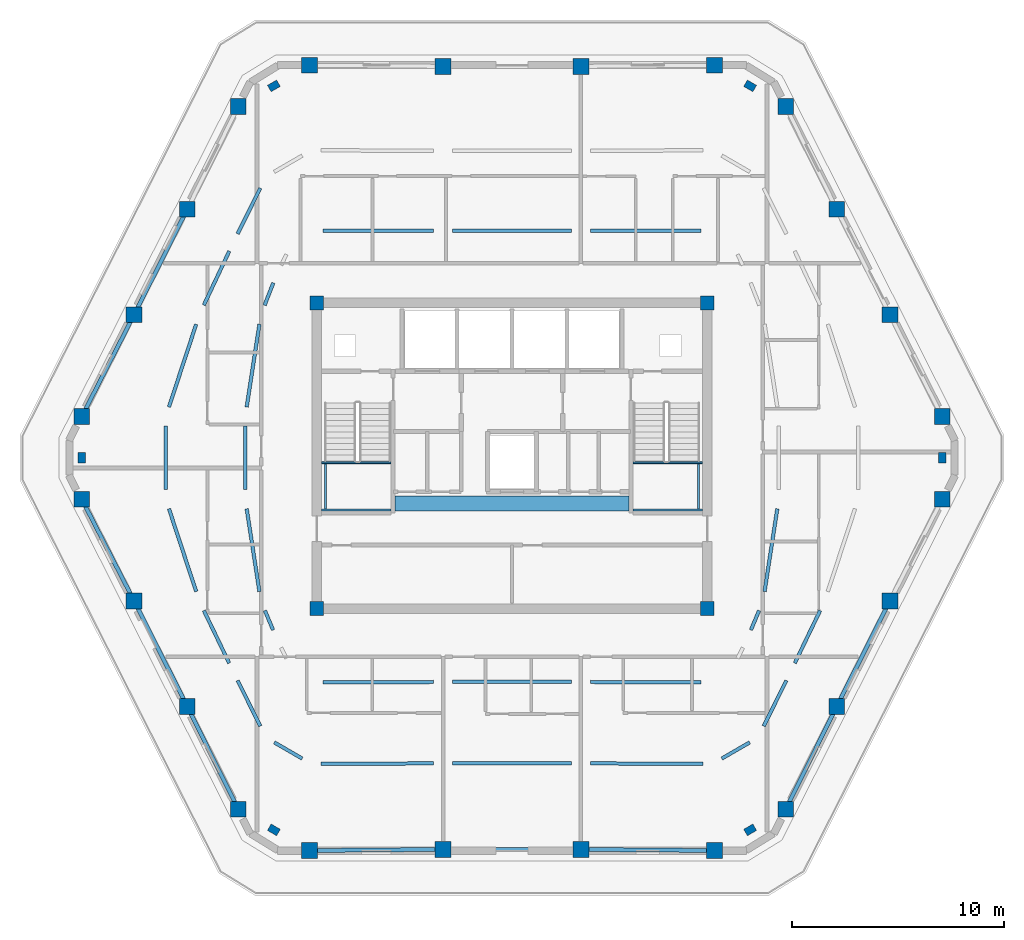
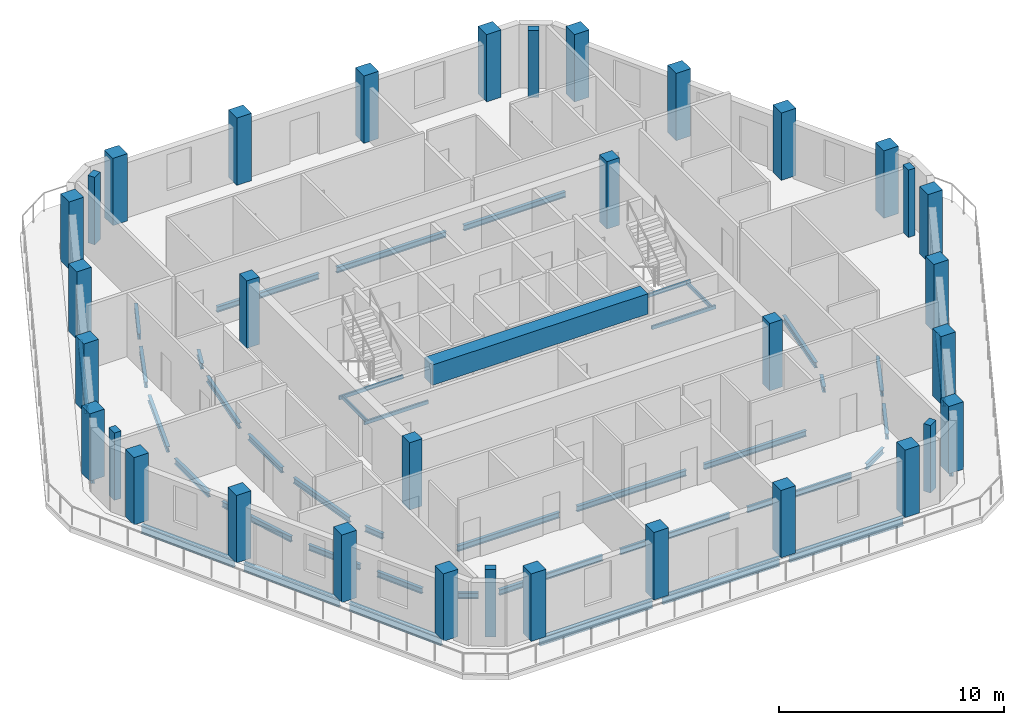
# One storey, part 1 of 10: 44 beams, 34 columns.
"""IFC4 building model written with IfcOpenShell, lengths in metres."""

from ifc_helpers import new_model, si_unit, direction, frame, origin, origin_2d, place, context, subcontext, project, spatial, rectangle, hollow_rectangle, i_section, extrude, material, material_profile, profile_set, type_object, element, save


model = new_model("IFC4")

# Units and contexts
model_context = context("Model", 3, precision=1e-05, world=origin(), true_north=direction((0.0, 1.0)))
body_context = subcontext(model_context, "Body", "Model", "MODEL_VIEW")
ifc_project = project(units=[si_unit("LENGTHUNIT", "METRE"), si_unit("AREAUNIT", "SQUARE_METRE"), si_unit("VOLUMEUNIT", "CUBIC_METRE"), si_unit("PLANEANGLEUNIT", "RADIAN"), si_unit("MASSUNIT", "GRAM", prefix="KILO")], contexts=[model_context])

# Site, building, storey
site_placement = place(None, origin())
site = spatial("IfcSite", under=ifc_project, at=site_placement, CompositionType="ELEMENT")
building_placement = place(site_placement, origin())
building = spatial("IfcBuilding", under=site, at=building_placement, Name="Cinnabar Lancet Tower", CompositionType="ELEMENT")
storey_placement = place(building_placement, frame((0.0, 0.0, 227.0)))
storey = spatial("IfcBuildingStorey", under=building, at=storey_placement, Name="L60", CompositionType="ELEMENT", Elevation=227.0)

# Columns
ifc_material_1 = material(Name="Concrete C50/60", Category="concrete")
ifc_material_profile_1 = material_profile(ifc_material_1, rectangle(XDim=0.64990234375, YDim=0.64990234375, at=origin_2d()), Name="RC-COL 650x650")
ifc_profile_set_1 = profile_set([ifc_material_profile_1], Name="Concrete C50/60")
column_type_1 = type_object("IfcColumnType", Name="STR-COL-CORE-650B", PredefinedType="COLUMN", material=ifc_profile_set_1)
for number, where, z_axis, x_axis, name in (
    (1, (23.175048828125, 18.675048828125, 0.0), (0.0, 0.0, 1.0), (1.0, 0.0, 0.0), "L60 Core Corner Column SW"),
    (2, (41.625, 18.675048828125, 0.0), (0.0, 0.0, 1.0), (1.0, 0.0, 0.0), "L60 Core Corner Column SE"),
    (3, (41.625, 33.125, 0.0), (0.0, 0.0, 1.0), (1.0, 0.0, 0.0), "L60 Core Corner Column NE"),
    (4, (23.175048828125, 33.125, 0.0), (0.0, 0.0, 1.0), (1.0, 0.0, 0.0), "L60 Core Corner Column NW"),
):
    element("IfcColumn", number, at=place(storey_placement, frame(where, z_axis=z_axis, x_axis=x_axis)), inside=storey, type_object=column_type_1, Name=name, PredefinedType="COLUMN", context=body_context, shape_type="SweptSolid", body=[
        extrude(rectangle(XDim=0.64990234375, YDim=0.64990234375, at=origin_2d()), origin(), (0.0, 0.0, 1.0), 3.64990234375),
    ])
ifc_material_2 = material(Name="Concrete C60/75", Category="concrete")
ifc_material_profile_2 = material_profile(ifc_material_2, rectangle(XDim=0.5, YDim=0.35009765625, at=origin_2d()), Name="RC-PIL 500x350")
ifc_profile_set_2 = profile_set([ifc_material_profile_2], Name="Concrete C60/75")
column_type_2 = type_object("IfcColumnType", Name="STR-COL-PIL-500", PredefinedType="PILASTER", material=ifc_profile_set_2)
for number, where, z_axis, x_axis, name in (
    (5, (21.14306640625, 8.215087890625, 0.0), (0.0, 0.0, 1.0), (0.865256437757, -0.501329529272, 0.0), "L60 Chamfered Corner Pilaster 1"),
    (6, (43.656982421875, 8.215087890625, 0.0), (0.0, 0.0, 1.0), (0.865256437757, 0.501329529272, 0.0), "L60 Chamfered Corner Pilaster 2"),
    (7, (52.737060546875, 25.800048828125, 0.0), (0.0, 0.0, 1.0), (0.0, 1.0, 0.0), "L60 Chamfered Corner Pilaster 3"),
    (8, (43.656982421875, 43.385009765625, 0.0), (0.0, 0.0, 1.0), (-0.865256437757, 0.501329529272, 0.0), "L60 Chamfered Corner Pilaster 4"),
    (9, (21.14306640625, 43.385009765625, 0.0), (0.0, 0.0, 1.0), (-0.865256437757, -0.501329529272, 0.0), "L60 Chamfered Corner Pilaster 5"),
    (10, (12.06298828125, 25.800048828125, 0.0), (0.0, 0.0, 1.0), (0.0, -1.0, 0.0), "L60 Chamfered Corner Pilaster 6"),
):
    element("IfcColumn", number, at=place(storey_placement, frame(where, z_axis=z_axis, x_axis=x_axis)), inside=storey, type_object=column_type_2, Name=name, PredefinedType="PILASTER", context=body_context, shape_type="SweptSolid", body=[
        extrude(rectangle(XDim=0.5, YDim=0.35009765625, at=origin_2d()), origin(), (0.0, 0.0, 1.0), 3.64990234375),
    ])
ifc_material_3 = material(Name="Concrete C50/60", Category="concrete")
ifc_material_profile_3 = material_profile(ifc_material_3, rectangle(XDim=0.75, YDim=0.75, at=origin_2d()), Name="RC-COL 750x750")
ifc_profile_set_3 = profile_set([ifc_material_profile_3], Name="Concrete C50/60")
column_type_3 = type_object("IfcColumnType", Name="STR-COL-TUBE-750", PredefinedType="COLUMN", material=ifc_profile_set_3)
for number, where, z_axis, x_axis, name in (
    (11, (22.827880859375, 7.239013671875, 0.0), (0.0, 0.0, 1.0), (1.0, 0.0, 0.0), "L60 Perimeter Tube Column 1"),
    (12, (29.14599609375, 7.2919921875, 0.0), (0.0, 0.0, 1.0), (1.0, 0.0, 0.0), "L60 Perimeter Tube Column 2"),
    (13, (35.654052734375, 7.2919921875, 0.0), (0.0, 0.0, 1.0), (1.0, 0.0, 0.0), "L60 Perimeter Tube Column 3"),
    (14, (41.971923828125, 7.239013671875, 0.0), (0.0, 0.0, 1.0), (1.0, 0.0, 0.0), "L60 Perimeter Tube Column 4"),
    (15, (45.341064453125, 9.19091796875, 0.0), (0.0, 0.0, 1.0), (1.0, 0.0, 0.0), "L60 Perimeter Tube Column 5"),
    (16, (47.7490234375, 14.0458984375, 0.0), (0.0, 0.0, 1.0), (1.0, 0.0, 0.0), "L60 Perimeter Tube Column 6"),
    (17, (50.263916015625, 19.032958984375, 0.0), (0.0, 0.0, 1.0), (1.0, 0.0, 0.0), "L60 Perimeter Tube Column 7"),
    (18, (52.737060546875, 23.844970703125, 0.0), (0.0, 0.0, 1.0), (1.0, 0.0, 0.0), "L60 Perimeter Tube Column 8"),
    (19, (52.737060546875, 27.7548828125, 0.0), (0.0, 0.0, 1.0), (1.0, 0.0, 0.0), "L60 Perimeter Tube Column 9"),
    (20, (50.263916015625, 32.56689453125, 0.0), (0.0, 0.0, 1.0), (1.0, 0.0, 0.0), "L60 Perimeter Tube Column 10"),
    (21, (47.7490234375, 37.553955078125, 0.0), (0.0, 0.0, 1.0), (1.0, 0.0, 0.0), "L60 Perimeter Tube Column 11"),
    (22, (45.341064453125, 42.408935546875, 0.0), (0.0, 0.0, 1.0), (1.0, 0.0, 0.0), "L60 Perimeter Tube Column 12"),
    (23, (41.971923828125, 44.361083984375, 0.0), (0.0, 0.0, 1.0), (1.0, 0.0, 0.0), "L60 Perimeter Tube Column 13"),
    (24, (35.654052734375, 44.30810546875, 0.0), (0.0, 0.0, 1.0), (1.0, 0.0, 0.0), "L60 Perimeter Tube Column 14"),
    (25, (29.14599609375, 44.30810546875, 0.0), (0.0, 0.0, 1.0), (1.0, 0.0, 0.0), "L60 Perimeter Tube Column 15"),
    (26, (22.827880859375, 44.361083984375, 0.0), (0.0, 0.0, 1.0), (1.0, 0.0, 0.0), "L60 Perimeter Tube Column 16"),
    (27, (19.458984375, 42.408935546875, 0.0), (0.0, 0.0, 1.0), (1.0, 0.0, 0.0), "L60 Perimeter Tube Column 17"),
    (28, (17.051025390625, 37.553955078125, 0.0), (0.0, 0.0, 1.0), (1.0, 0.0, 0.0), "L60 Perimeter Tube Column 18"),
    (29, (14.535888671875, 32.56689453125, 0.0), (0.0, 0.0, 1.0), (1.0, 0.0, 0.0), "L60 Perimeter Tube Column 19"),
    (30, (12.06298828125, 27.7548828125, 0.0), (0.0, 0.0, 1.0), (1.0, 0.0, 0.0), "L60 Perimeter Tube Column 20"),
    (31, (12.06298828125, 23.844970703125, 0.0), (0.0, 0.0, 1.0), (1.0, 0.0, 0.0), "L60 Perimeter Tube Column 21"),
    (32, (14.535888671875, 19.032958984375, 0.0), (0.0, 0.0, 1.0), (1.0, 0.0, 0.0), "L60 Perimeter Tube Column 22"),
    (33, (17.051025390625, 14.0458984375, 0.0), (0.0, 0.0, 1.0), (1.0, 0.0, 0.0), "L60 Perimeter Tube Column 23"),
    (34, (19.458984375, 9.19091796875, 0.0), (0.0, 0.0, 1.0), (1.0, 0.0, 0.0), "L60 Perimeter Tube Column 24"),
):
    element("IfcColumn", number, at=place(storey_placement, frame(where, z_axis=z_axis, x_axis=x_axis)), inside=storey, type_object=column_type_3, Name=name, PredefinedType="COLUMN", context=body_context, shape_type="SweptSolid", body=[
        extrude(rectangle(XDim=0.75, YDim=0.75, at=origin_2d()), origin(), (0.0, 0.0, 1.0), 3.64990234375),
    ])

# Beams
ifc_material_4 = material(Name="Concrete C70/85", Category="concrete")
ifc_material_profile_4 = material_profile(ifc_material_4, rectangle(XDim=0.699951171875, YDim=1.10009765625, at=origin_2d()), Name="RC-CB 700x1100")
ifc_profile_set_4 = profile_set([ifc_material_profile_4], Name="Concrete C70/85")
beam_type_1 = type_object("IfcBeamType", Name="STR-BM-CB-1100", PredefinedType="BEAM", material=ifc_profile_set_4)
beam_1_placement = place(storey_placement, frame((26.8798828125, 23.64990234375, 2.89990234375), z_axis=(1.0, 0.0, 0.0), x_axis=(0.0, 1.0, 0.0)))
element("IfcBeam", 35, at=beam_1_placement, inside=storey, type_object=beam_type_1, Name="L60 Core Coupling Beam", PredefinedType="BEAM", context=body_context, shape_type="SweptSolid", body=[
    extrude(rectangle(XDim=0.699951171875, YDim=1.10009765625, at=origin_2d()), origin(), (0.0, 0.0, 1.0), 11.0400390625),
])
ifc_material_5 = material(Name="Structural steel S355", Category="steel")
ifc_material_profile_5 = material_profile(ifc_material_5, i_section(OverallWidth=0.1650390625, OverallDepth=0.303466796875, WebThickness=0.006103515625, FlangeThickness=0.01025390625, FilletRadius=0.0087890625, at=origin_2d()), Name="UKB 305x165x40")
ifc_profile_set_5 = profile_set([ifc_material_profile_5], Name="Structural steel S355")
beam_type_2 = type_object("IfcBeamType", Name="STR-BM-JST-305", PredefinedType="JOIST", material=ifc_profile_set_5)
beam_2_placement = place(storey_placement, frame((16.18408203125, 23.39501953125, -0.35205078125), z_axis=(0.312472773366, -0.949926716071, 0.0), x_axis=(0.949926716071, 0.312472773366, 0.0)))
element("IfcBeam", 36, at=beam_2_placement, inside=storey, type_object=beam_type_2, Name="L60 Secondary Floor Joist 1", PredefinedType="JOIST", context=body_context, shape_type="SweptSolid", body=[
    extrude(i_section(OverallWidth=0.1650390625, OverallDepth=0.303466796875, WebThickness=0.006103515625, FlangeThickness=0.01025390625, FilletRadius=0.0087890625, at=origin_2d()), origin(), (0.0, 0.0, 1.0), 4.118408203125),
])
beam_3_placement = place(storey_placement, frame((19.85791015625, 23.39501953125, -0.35205078125), z_axis=(0.152344532894, -0.988327447407, 0.0), x_axis=(0.988327447407, 0.152344532894, 0.0)))
element("IfcBeam", 37, at=beam_3_placement, inside=storey, type_object=beam_type_2, Name="L60 Secondary Floor Joist 2", PredefinedType="JOIST", context=body_context, shape_type="SweptSolid", body=[
    extrude(i_section(OverallWidth=0.1650390625, OverallDepth=0.303466796875, WebThickness=0.006103515625, FlangeThickness=0.01025390625, FilletRadius=0.0087890625, at=origin_2d()), origin(), (0.0, 0.0, 1.0), 3.958251953125),
])
beam_4_placement = place(storey_placement, frame((17.8349609375, 18.5830078125, -0.35205078125), z_axis=(0.433557283965, -0.901126007571, 0.0), x_axis=(0.901126007571, 0.433557283965, 0.0)))
element("IfcBeam", 38, at=beam_4_placement, inside=storey, type_object=beam_type_2, Name="L60 Secondary Floor Joist 3", PredefinedType="JOIST", context=body_context, shape_type="SweptSolid", body=[
    extrude(i_section(OverallWidth=0.1650390625, OverallDepth=0.303466796875, WebThickness=0.006103515625, FlangeThickness=0.01025390625, FilletRadius=0.0087890625, at=origin_2d()), origin(), (0.0, 0.0, 1.0), 2.75634765625),
])
beam_5_placement = place(storey_placement, frame((20.719970703125, 18.5830078125, -0.35205078125), z_axis=(0.386558979861, -0.922264688194, 0.0), x_axis=(0.922264688194, 0.386558979861, 0.0)))
element("IfcBeam", 39, at=beam_5_placement, inside=storey, type_object=beam_type_2, Name="L60 Secondary Floor Joist 4", PredefinedType="JOIST", context=body_context, shape_type="SweptSolid", body=[
    extrude(i_section(OverallWidth=0.1650390625, OverallDepth=0.303466796875, WebThickness=0.006103515625, FlangeThickness=0.01025390625, FilletRadius=0.0087890625, at=origin_2d()), origin(), (0.0, 0.0, 1.0), 0.99853515625),
])
beam_6_placement = place(storey_placement, frame((19.431884765625, 15.27490234375, -0.35205078125), z_axis=(0.4446077291, -0.895725386056, 0.0), x_axis=(0.895725386056, 0.4446077291, 0.0)))
element("IfcBeam", 40, at=beam_6_placement, inside=storey, type_object=beam_type_2, Name="L60 Secondary Floor Joist 5", PredefinedType="JOIST", context=body_context, shape_type="SweptSolid", body=[
    extrude(i_section(OverallWidth=0.1650390625, OverallDepth=0.303466796875, WebThickness=0.006103515625, FlangeThickness=0.01025390625, FilletRadius=0.0087890625, at=origin_2d()), origin(), (0.0, 0.0, 1.0), 2.400146484375),
])
beam_7_placement = place(storey_placement, frame((21.1640625, 12.35009765625, -0.35205078125), z_axis=(0.865089608438, -0.50161735354, 0.0), x_axis=(0.50161735354, 0.865089608438, 0.0)))
element("IfcBeam", 41, at=beam_7_placement, inside=storey, type_object=beam_type_2, Name="L60 Secondary Floor Joist 7", PredefinedType="JOIST", context=body_context, shape_type="SweptSolid", body=[
    extrude(i_section(OverallWidth=0.1650390625, OverallDepth=0.303466796875, WebThickness=0.006103515625, FlangeThickness=0.01025390625, FilletRadius=0.0087890625, at=origin_2d()), origin(), (0.0, 0.0, 1.0), 1.5234375),
])
beam_8_placement = place(storey_placement, frame((23.3759765625, 11.3310546875, -0.35205078125), z_axis=(0.999985089236, 0.005460888698, 0.0), x_axis=(-0.005460888698, 0.999985089236, 0.0)))
element("IfcBeam", 42, at=beam_8_placement, inside=storey, type_object=beam_type_2, Name="L60 Secondary Floor Joist 8", PredefinedType="JOIST", context=body_context, shape_type="SweptSolid", body=[
    extrude(i_section(OverallWidth=0.1650390625, OverallDepth=0.303466796875, WebThickness=0.006103515625, FlangeThickness=0.01025390625, FilletRadius=0.0087890625, at=origin_2d()), origin(), (0.0, 0.0, 1.0), 5.320068359375),
])
beam_9_placement = place(storey_placement, frame((23.468994140625, 15.193115234375, -0.35205078125), z_axis=(0.999996936017, 0.002475471163, 0.0), x_axis=(-0.002475471163, 0.999996936017, 0.0)))
element("IfcBeam", 43, at=beam_9_placement, inside=storey, type_object=beam_type_2, Name="L60 Secondary Floor Joist 9", PredefinedType="JOIST", context=body_context, shape_type="SweptSolid", body=[
    extrude(i_section(OverallWidth=0.1650390625, OverallDepth=0.303466796875, WebThickness=0.006103515625, FlangeThickness=0.01025390625, FilletRadius=0.0087890625, at=origin_2d()), origin(), (0.0, 0.0, 1.0), 5.22705078125),
])
for number, where, z_axis, x_axis, name in (
    (44, (29.595947265625, 11.363037109375, -0.35205078125), (1.0, 0.0, 0.0), (0.0, 1.0, 0.0), "L60 Secondary Floor Joist 10"),
    (45, (29.595947265625, 15.2080078125, -0.35205078125), (1.0, 0.0, 0.0), (0.0, 1.0, 0.0), "L60 Secondary Floor Joist 11"),
):
    element("IfcBeam", number, at=place(storey_placement, frame(where, z_axis=z_axis, x_axis=x_axis)), inside=storey, type_object=beam_type_2, Name=name, PredefinedType="JOIST", context=body_context, shape_type="SweptSolid", body=[
        extrude(i_section(OverallWidth=0.1650390625, OverallDepth=0.303466796875, WebThickness=0.006103515625, FlangeThickness=0.01025390625, FilletRadius=0.0087890625, at=origin_2d()), origin(), (0.0, 0.0, 1.0), 5.608154296875),
    ])
beam_10_placement = place(storey_placement, frame((36.10400390625, 11.360107421875, -0.35205078125), z_axis=(0.999985089236, -0.005460888698, 0.0), x_axis=(0.005460888698, 0.999985089236, 0.0)))
element("IfcBeam", 46, at=beam_10_placement, inside=storey, type_object=beam_type_2, Name="L60 Secondary Floor Joist 12", PredefinedType="JOIST", context=body_context, shape_type="SweptSolid", body=[
    extrude(i_section(OverallWidth=0.1650390625, OverallDepth=0.303466796875, WebThickness=0.006103515625, FlangeThickness=0.01025390625, FilletRadius=0.0087890625, at=origin_2d()), origin(), (0.0, 0.0, 1.0), 5.320068359375),
])
beam_11_placement = place(storey_placement, frame((36.10400390625, 15.2060546875, -0.35205078125), z_axis=(0.999996936017, -0.002475471163, 0.0), x_axis=(0.002475471163, 0.999996936017, 0.0)))
element("IfcBeam", 47, at=beam_11_placement, inside=storey, type_object=beam_type_2, Name="L60 Secondary Floor Joist 13", PredefinedType="JOIST", context=body_context, shape_type="SweptSolid", body=[
    extrude(i_section(OverallWidth=0.1650390625, OverallDepth=0.303466796875, WebThickness=0.006103515625, FlangeThickness=0.01025390625, FilletRadius=0.0087890625, at=origin_2d()), origin(), (0.0, 0.0, 1.0), 5.22705078125),
])
beam_12_placement = place(storey_placement, frame((42.318115234375, 11.5859375, -0.35205078125), z_axis=(0.865089608438, 0.50161735354, 0.0), x_axis=(-0.50161735354, 0.865089608438, 0.0)))
element("IfcBeam", 48, at=beam_12_placement, inside=storey, type_object=beam_type_2, Name="L60 Secondary Floor Joist 14", PredefinedType="JOIST", context=body_context, shape_type="SweptSolid", body=[
    extrude(i_section(OverallWidth=0.1650390625, OverallDepth=0.303466796875, WebThickness=0.006103515625, FlangeThickness=0.01025390625, FilletRadius=0.0087890625, at=origin_2d()), origin(), (0.0, 0.0, 1.0), 1.5234375),
])
beam_13_placement = place(storey_placement, frame((44.301025390625, 13.125, -0.35205078125), z_axis=(0.444526113077, 0.89576589285, 0.0), x_axis=(-0.89576589285, 0.444526113077, 0.0)))
element("IfcBeam", 49, at=beam_13_placement, inside=storey, type_object=beam_type_2, Name="L60 Secondary Floor Joist 15", PredefinedType="JOIST", context=body_context, shape_type="SweptSolid", body=[
    extrude(i_section(OverallWidth=0.1650390625, OverallDepth=0.303466796875, WebThickness=0.006103515625, FlangeThickness=0.01025390625, FilletRadius=0.0087890625, at=origin_2d()), origin(), (0.0, 0.0, 1.0), 2.400146484375),
])
beam_14_placement = place(storey_placement, frame((45.77001953125, 16.09912109375, -0.35205078125), z_axis=(0.433557283965, 0.901126007571, 0.0), x_axis=(-0.901126007571, 0.433557283965, 0.0)))
element("IfcBeam", 50, at=beam_14_placement, inside=storey, type_object=beam_type_2, Name="L60 Secondary Floor Joist 17", PredefinedType="JOIST", context=body_context, shape_type="SweptSolid", body=[
    extrude(i_section(OverallWidth=0.1650390625, OverallDepth=0.303466796875, WebThickness=0.006103515625, FlangeThickness=0.01025390625, FilletRadius=0.0087890625, at=origin_2d()), origin(), (0.0, 0.0, 1.0), 2.75634765625),
])
beam_15_placement = place(storey_placement, frame((43.694091796875, 17.662109375, -0.35205078125), z_axis=(0.386558979861, 0.922264688194, 0.0), x_axis=(-0.922264688194, 0.386558979861, 0.0)))
element("IfcBeam", 51, at=beam_15_placement, inside=storey, type_object=beam_type_2, Name="L60 Secondary Floor Joist 18", PredefinedType="JOIST", context=body_context, shape_type="SweptSolid", body=[
    extrude(i_section(OverallWidth=0.1650390625, OverallDepth=0.303466796875, WebThickness=0.006103515625, FlangeThickness=0.01025390625, FilletRadius=0.0087890625, at=origin_2d()), origin(), (0.0, 0.0, 1.0), 0.99853515625),
])
beam_16_placement = place(storey_placement, frame((44.339111328125, 19.48291015625, -0.35205078125), z_axis=(0.152284285571, 0.988336732277, 0.0), x_axis=(-0.988336732277, 0.152284285571, 0.0)))
element("IfcBeam", 52, at=beam_16_placement, inside=storey, type_object=beam_type_2, Name="L60 Secondary Floor Joist 20", PredefinedType="JOIST", context=body_context, shape_type="SweptSolid", body=[
    extrude(i_section(OverallWidth=0.1650390625, OverallDepth=0.303466796875, WebThickness=0.006103515625, FlangeThickness=0.01025390625, FilletRadius=0.0087890625, at=origin_2d()), origin(), (0.0, 0.0, 1.0), 3.958251953125),
])
beam_17_placement = place(storey_placement, frame((41.3310546875, 36.547119140625, -0.35205078125), z_axis=(-0.999996819304, -0.002522177872, 0.0), x_axis=(0.002522177872, -0.999996819304, 0.0)))
element("IfcBeam", 53, at=beam_17_placement, inside=storey, type_object=beam_type_2, Name="L60 Secondary Floor Joist 31", PredefinedType="JOIST", context=body_context, shape_type="SweptSolid", body=[
    extrude(i_section(OverallWidth=0.1650390625, OverallDepth=0.303466796875, WebThickness=0.006103515625, FlangeThickness=0.01025390625, FilletRadius=0.0087890625, at=origin_2d()), origin(), (0.0, 0.0, 1.0), 5.22705078125),
])
beam_18_placement = place(storey_placement, frame((35.2041015625, 36.531982421875, -0.35205078125), z_axis=(-1.0, 0.0, 0.0), x_axis=(0.0, -1.0, 0.0)))
element("IfcBeam", 54, at=beam_18_placement, inside=storey, type_object=beam_type_2, Name="L60 Secondary Floor Joist 33", PredefinedType="JOIST", context=body_context, shape_type="SweptSolid", body=[
    extrude(i_section(OverallWidth=0.1650390625, OverallDepth=0.303466796875, WebThickness=0.006103515625, FlangeThickness=0.01025390625, FilletRadius=0.0087890625, at=origin_2d()), origin(), (0.0, 0.0, 1.0), 5.608154296875),
])
beam_19_placement = place(storey_placement, frame((28.696044921875, 36.533935546875, -0.35205078125), z_axis=(-0.999996819304, 0.002522177872, 0.0), x_axis=(-0.002522177872, -0.999996819304, 0.0)))
element("IfcBeam", 55, at=beam_19_placement, inside=storey, type_object=beam_type_2, Name="L60 Secondary Floor Joist 35", PredefinedType="JOIST", context=body_context, shape_type="SweptSolid", body=[
    extrude(i_section(OverallWidth=0.1650390625, OverallDepth=0.303466796875, WebThickness=0.006103515625, FlangeThickness=0.01025390625, FilletRadius=0.0087890625, at=origin_2d()), origin(), (0.0, 0.0, 1.0), 5.22705078125),
])
beam_20_placement = place(storey_placement, frame((20.5009765625, 38.551025390625, -0.35205078125), z_axis=(-0.444574431543, -0.895741913063, 0.0), x_axis=(0.895741913063, -0.444574431543, 0.0)))
element("IfcBeam", 56, at=beam_20_placement, inside=storey, type_object=beam_type_2, Name="L60 Secondary Floor Joist 37", PredefinedType="JOIST", context=body_context, shape_type="SweptSolid", body=[
    extrude(i_section(OverallWidth=0.1650390625, OverallDepth=0.303466796875, WebThickness=0.006103515625, FlangeThickness=0.01025390625, FilletRadius=0.0087890625, at=origin_2d()), origin(), (0.0, 0.0, 1.0), 2.406982421875),
])
beam_21_placement = place(storey_placement, frame((19.033935546875, 35.572021484375, -0.35205078125), z_axis=(-0.425959406459, -0.904742274932, 0.0), x_axis=(0.904742274932, -0.425959406459, 0.0)))
element("IfcBeam", 57, at=beam_21_placement, inside=storey, type_object=beam_type_2, Name="L60 Secondary Floor Joist 39", PredefinedType="JOIST", context=body_context, shape_type="SweptSolid", body=[
    extrude(i_section(OverallWidth=0.1650390625, OverallDepth=0.303466796875, WebThickness=0.006103515625, FlangeThickness=0.01025390625, FilletRadius=0.0087890625, at=origin_2d()), origin(), (0.0, 0.0, 1.0), 2.823974609375),
])
beam_22_placement = place(storey_placement, frame((21.116943359375, 34.072998046875, -0.35205078125), z_axis=(-0.362643819572, -0.931927819161, 0.0), x_axis=(0.931927819161, -0.362643819572, 0.0)))
element("IfcBeam", 58, at=beam_22_placement, inside=storey, type_object=beam_type_2, Name="L60 Secondary Floor Joist 40", PredefinedType="JOIST", context=body_context, shape_type="SweptSolid", body=[
    extrude(i_section(OverallWidth=0.1650390625, OverallDepth=0.303466796875, WebThickness=0.006103515625, FlangeThickness=0.01025390625, FilletRadius=0.0087890625, at=origin_2d()), origin(), (0.0, 0.0, 1.0), 1.133056640625),
])
beam_23_placement = place(storey_placement, frame((17.470947265625, 32.116943359375, -0.35205078125), z_axis=(-0.312490370607, -0.949920927382, 0.0), x_axis=(0.949920927382, -0.312490370607, 0.0)))
element("IfcBeam", 59, at=beam_23_placement, inside=storey, type_object=beam_type_2, Name="L60 Secondary Floor Joist 41", PredefinedType="JOIST", context=body_context, shape_type="SweptSolid", body=[
    extrude(i_section(OverallWidth=0.1650390625, OverallDepth=0.303466796875, WebThickness=0.006103515625, FlangeThickness=0.01025390625, FilletRadius=0.0087890625, at=origin_2d()), origin(), (0.0, 0.0, 1.0), 4.1181640625),
])
beam_24_placement = place(storey_placement, frame((20.4609375, 32.116943359375, -0.35205078125), z_axis=(-0.152353820073, -0.988326015801, 0.0), x_axis=(0.988326015801, -0.152353820073, 0.0)))
element("IfcBeam", 60, at=beam_24_placement, inside=storey, type_object=beam_type_2, Name="L60 Secondary Floor Joist 42", PredefinedType="JOIST", context=body_context, shape_type="SweptSolid", body=[
    extrude(i_section(OverallWidth=0.1650390625, OverallDepth=0.303466796875, WebThickness=0.006103515625, FlangeThickness=0.01025390625, FilletRadius=0.0087890625, at=origin_2d()), origin(), (0.0, 0.0, 1.0), 3.9580078125),
])
for number, where, z_axis, x_axis, name in (
    (61, (16.035888671875, 27.304931640625, -0.35205078125), (0.0, -1.0, 0.0), (1.0, 0.0, 0.0), "L60 Secondary Floor Joist 43"),
    (62, (19.7890625, 27.304931640625, -0.35205078125), (0.0, -1.0, 0.0), (1.0, 0.0, 0.0), "L60 Secondary Floor Joist 44"),
):
    element("IfcBeam", number, at=place(storey_placement, frame(where, z_axis=z_axis, x_axis=x_axis)), inside=storey, type_object=beam_type_2, Name=name, PredefinedType="JOIST", context=body_context, shape_type="SweptSolid", body=[
        extrude(i_section(OverallWidth=0.1650390625, OverallDepth=0.303466796875, WebThickness=0.006103515625, FlangeThickness=0.01025390625, FilletRadius=0.0087890625, at=origin_2d()), origin(), (0.0, 0.0, 1.0), 3.010009765625),
    ])
ifc_material_6 = material(Name="Structural steel S355", Category="steel")
ifc_material_profile_6 = material_profile(ifc_material_6, hollow_rectangle(XDim=0.10009765625, YDim=0.199951171875, WallThickness=0.008056640625, InnerFilletRadius=0.00390625, OuterFilletRadius=0.011962890625, at=origin_2d()), Name="RHS 200x100x8")
ifc_profile_set_6 = profile_set([ifc_material_profile_6], Name="Structural steel S355")
beam_type_3 = type_object("IfcBeamType", Name="STR-BM-LND-203", PredefinedType="BEAM", material=ifc_profile_set_6)
for number, where, z_axis, x_axis, name in (
    (63, (23.39990234375, 23.330078125, 1.52490234375), (1.0, 0.0, 0.0), (0.0, 1.0, 0.0), "L60 ST-1-L60 Landing Support Beam S"),
    (64, (23.39990234375, 25.570068359375, 1.52490234375), (1.0, 0.0, 0.0), (0.0, 1.0, 0.0), "L60 ST-1-L60 Landing Support Beam N"),
):
    element("IfcBeam", number, at=place(storey_placement, frame(where, z_axis=z_axis, x_axis=x_axis)), inside=storey, type_object=beam_type_3, Name=name, PredefinedType="BEAM", context=body_context, shape_type="SweptSolid", body=[
        extrude(hollow_rectangle(XDim=0.10009765625, YDim=0.199951171875, WallThickness=0.008056640625, InnerFilletRadius=0.00390625, OuterFilletRadius=0.011962890625, at=origin_2d()), origin(), (0.0, 0.0, 1.0), 3.280029296875),
    ])
beam_25_placement = place(storey_placement, frame((23.580078125, 23.3798828125, 1.52490234375), z_axis=(0.0, 1.0, 0.0), x_axis=(-1.0, 0.0, 0.0)))
element("IfcBeam", 65, at=beam_25_placement, inside=storey, type_object=beam_type_3, Name="L60 ST-1-L60 Landing Side Trimmer Beam", PredefinedType="BEAM", context=body_context, shape_type="SweptSolid", body=[
    extrude(hollow_rectangle(XDim=0.10009765625, YDim=0.199951171875, WallThickness=0.008056640625, InnerFilletRadius=0.00390625, OuterFilletRadius=0.011962890625, at=origin_2d()), origin(), (0.0, 0.0, 1.0), 2.14013671875),
])
for number, where, z_axis, x_axis, name in (
    (66, (38.1201171875, 23.330078125, 1.52490234375), (1.0, 0.0, 0.0), (0.0, 1.0, 0.0), "L60 ST-2-L60 Landing Support Beam S"),
    (67, (38.1201171875, 25.570068359375, 1.52490234375), (1.0, 0.0, 0.0), (0.0, 1.0, 0.0), "L60 ST-2-L60 Landing Support Beam N"),
):
    element("IfcBeam", number, at=place(storey_placement, frame(where, z_axis=z_axis, x_axis=x_axis)), inside=storey, type_object=beam_type_3, Name=name, PredefinedType="BEAM", context=body_context, shape_type="SweptSolid", body=[
        extrude(hollow_rectangle(XDim=0.10009765625, YDim=0.199951171875, WallThickness=0.008056640625, InnerFilletRadius=0.00390625, OuterFilletRadius=0.011962890625, at=origin_2d()), origin(), (0.0, 0.0, 1.0), 3.27978515625),
    ])
beam_26_placement = place(storey_placement, frame((41.219970703125, 23.3798828125, 1.52490234375), z_axis=(0.0, 1.0, 0.0), x_axis=(-1.0, 0.0, 0.0)))
element("IfcBeam", 68, at=beam_26_placement, inside=storey, type_object=beam_type_3, Name="L60 ST-2-L60 Landing Side Trimmer Beam", PredefinedType="BEAM", context=body_context, shape_type="SweptSolid", body=[
    extrude(hollow_rectangle(XDim=0.10009765625, YDim=0.199951171875, WallThickness=0.008056640625, InnerFilletRadius=0.00390625, OuterFilletRadius=0.011962890625, at=origin_2d()), origin(), (0.0, 0.0, 1.0), 2.14013671875),
])
ifc_material_7 = material(Name="Structural steel S355", Category="steel")
ifc_material_profile_7 = material_profile(ifc_material_7, i_section(OverallWidth=0.1904296875, OverallDepth=0.45703125, WebThickness=0.009033203125, FlangeThickness=0.014404296875, FilletRadius=0.01025390625, at=origin_2d()), Name="UKB 457x191x74")
ifc_profile_set_7 = profile_set([ifc_material_profile_7], Name="Structural steel S355")
beam_type_4 = type_object("IfcBeamType", Name="STR-BM-SPN-457", PredefinedType="SPANDREL", material=ifc_profile_set_7)
beam_27_placement = place(storey_placement, frame((23.077880859375, 7.240966796875, -0.427978515625), z_axis=(0.999964432412, 0.008434092187, 0.0), x_axis=(-0.008434092187, 0.999964432412, 0.0)))
element("IfcBeam", 69, at=beam_27_placement, inside=storey, type_object=beam_type_4, Name="L60 Perimeter Spandrel 1", PredefinedType="SPANDREL", context=body_context, shape_type="SweptSolid", body=[
    extrude(i_section(OverallWidth=0.1904296875, OverallDepth=0.45703125, WebThickness=0.009033203125, FlangeThickness=0.014404296875, FilletRadius=0.01025390625, at=origin_2d()), origin(), (0.0, 0.0, 1.0), 5.818359375),
])
beam_28_placement = place(storey_placement, frame((29.39599609375, 7.2919921875, -0.427978515625), z_axis=(1.0, 0.0, 0.0), x_axis=(0.0, 1.0, 0.0)))
element("IfcBeam", 70, at=beam_28_placement, inside=storey, type_object=beam_type_4, Name="L60 Perimeter Spandrel 2", PredefinedType="SPANDREL", context=body_context, shape_type="SweptSolid", body=[
    extrude(i_section(OverallWidth=0.1904296875, OverallDepth=0.45703125, WebThickness=0.009033203125, FlangeThickness=0.014404296875, FilletRadius=0.01025390625, at=origin_2d()), origin(), (0.0, 0.0, 1.0), 6.008056640625),
])
beam_29_placement = place(storey_placement, frame((35.904052734375, 7.2900390625, -0.427978515625), z_axis=(0.999964429427, -0.00843444609, 0.0), x_axis=(0.00843444609, 0.999964429427, 0.0)))
element("IfcBeam", 71, at=beam_29_placement, inside=storey, type_object=beam_type_4, Name="L60 Perimeter Spandrel 3", PredefinedType="SPANDREL", context=body_context, shape_type="SweptSolid", body=[
    extrude(i_section(OverallWidth=0.1904296875, OverallDepth=0.45703125, WebThickness=0.009033203125, FlangeThickness=0.014404296875, FilletRadius=0.01025390625, at=origin_2d()), origin(), (0.0, 0.0, 1.0), 5.818115234375),
])
beam_30_placement = place(storey_placement, frame((45.451904296875, 9.4150390625, -0.427978515625), z_axis=(0.444372599207, 0.895842058107, 0.0), x_axis=(-0.895842058107, 0.444372599207, 0.0)))
element("IfcBeam", 72, at=beam_30_placement, inside=storey, type_object=beam_type_4, Name="L60 Perimeter Spandrel 5", PredefinedType="SPANDREL", context=body_context, shape_type="SweptSolid", body=[
    extrude(i_section(OverallWidth=0.1904296875, OverallDepth=0.45703125, WebThickness=0.009033203125, FlangeThickness=0.014404296875, FilletRadius=0.01025390625, at=origin_2d()), origin(), (0.0, 0.0, 1.0), 4.91943359375),
])
beam_31_placement = place(storey_placement, frame((47.862060546875, 14.26904296875, -0.427978515625), z_axis=(0.450091864122, 0.892982258419, 0.0), x_axis=(-0.892982258419, 0.450091864122, 0.0)))
element("IfcBeam", 73, at=beam_31_placement, inside=storey, type_object=beam_type_4, Name="L60 Perimeter Spandrel 6", PredefinedType="SPANDREL", context=body_context, shape_type="SweptSolid", body=[
    extrude(i_section(OverallWidth=0.1904296875, OverallDepth=0.45703125, WebThickness=0.009033203125, FlangeThickness=0.014404296875, FilletRadius=0.01025390625, at=origin_2d()), origin(), (0.0, 0.0, 1.0), 5.085205078125),
])
beam_32_placement = place(storey_placement, frame((16.93798828125, 37.3310546875, -0.427978515625), z_axis=(-0.450130146726, -0.892962961722, 0.0), x_axis=(0.892962961722, -0.450130146726, 0.0)))
element("IfcBeam", 74, at=beam_32_placement, inside=storey, type_object=beam_type_4, Name="L60 Perimeter Spandrel 18", PredefinedType="SPANDREL", context=body_context, shape_type="SweptSolid", body=[
    extrude(i_section(OverallWidth=0.1904296875, OverallDepth=0.45703125, WebThickness=0.009033203125, FlangeThickness=0.014404296875, FilletRadius=0.01025390625, at=origin_2d()), origin(), (0.0, 0.0, 1.0), 5.08544921875),
])
beam_33_placement = place(storey_placement, frame((14.422119140625, 32.344970703125, -0.427978515625), z_axis=(-0.457148063427, -0.889390604912, 0.0), x_axis=(0.889390604912, -0.457148063427, 0.0)))
element("IfcBeam", 75, at=beam_33_placement, inside=storey, type_object=beam_type_4, Name="L60 Perimeter Spandrel 19", PredefinedType="SPANDREL", context=body_context, shape_type="SweptSolid", body=[
    extrude(i_section(OverallWidth=0.1904296875, OverallDepth=0.45703125, WebThickness=0.009033203125, FlangeThickness=0.014404296875, FilletRadius=0.01025390625, at=origin_2d()), origin(), (0.0, 0.0, 1.0), 4.9111328125),
])
beam_34_placement = place(storey_placement, frame((12.177001953125, 23.623046875, -0.427978515625), z_axis=(0.457127852293, -0.889400993174, 0.0), x_axis=(0.889400993174, 0.457127852293, 0.0)))
element("IfcBeam", 76, at=beam_34_placement, inside=storey, type_object=beam_type_4, Name="L60 Perimeter Spandrel 21", PredefinedType="SPANDREL", context=body_context, shape_type="SweptSolid", body=[
    extrude(i_section(OverallWidth=0.1904296875, OverallDepth=0.45703125, WebThickness=0.009033203125, FlangeThickness=0.014404296875, FilletRadius=0.01025390625, at=origin_2d()), origin(), (0.0, 0.0, 1.0), 4.911376953125),
])
beam_35_placement = place(storey_placement, frame((14.64892578125, 18.81005859375, -0.427978515625), z_axis=(0.450130146726, -0.892962961722, 0.0), x_axis=(0.892962961722, 0.450130146726, 0.0)))
element("IfcBeam", 77, at=beam_35_placement, inside=storey, type_object=beam_type_4, Name="L60 Perimeter Spandrel 22", PredefinedType="SPANDREL", context=body_context, shape_type="SweptSolid", body=[
    extrude(i_section(OverallWidth=0.1904296875, OverallDepth=0.45703125, WebThickness=0.009033203125, FlangeThickness=0.014404296875, FilletRadius=0.01025390625, at=origin_2d()), origin(), (0.0, 0.0, 1.0), 5.08544921875),
])
beam_36_placement = place(storey_placement, frame((17.162109375, 13.822021484375, -0.427978515625), z_axis=(0.44433276947, -0.895861814107, 0.0), x_axis=(0.895861814107, 0.44433276947, 0.0)))
element("IfcBeam", 78, at=beam_36_placement, inside=storey, type_object=beam_type_4, Name="L60 Perimeter Spandrel 23", PredefinedType="SPANDREL", context=body_context, shape_type="SweptSolid", body=[
    extrude(i_section(OverallWidth=0.1904296875, OverallDepth=0.45703125, WebThickness=0.009033203125, FlangeThickness=0.014404296875, FilletRadius=0.01025390625, at=origin_2d()), origin(), (0.0, 0.0, 1.0), 4.919189453125),
])

save(model, "model.ifc")
